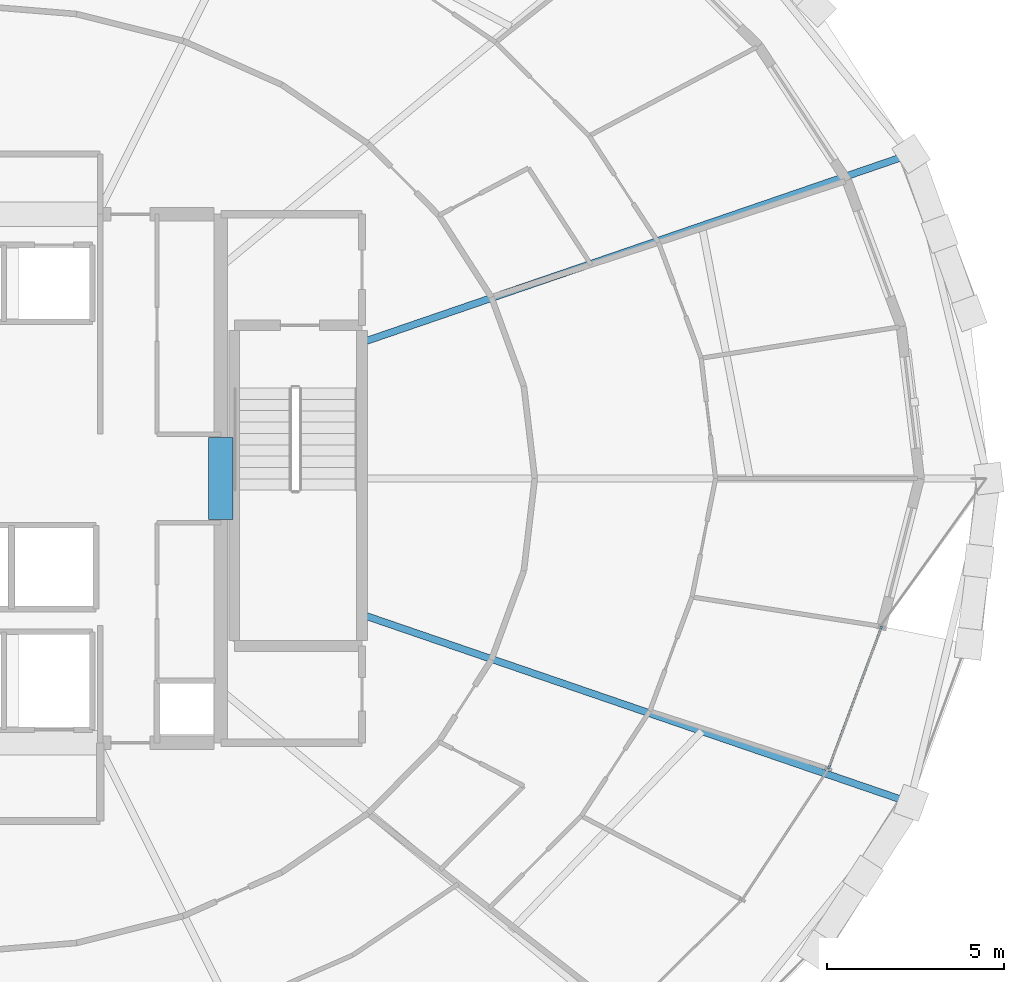
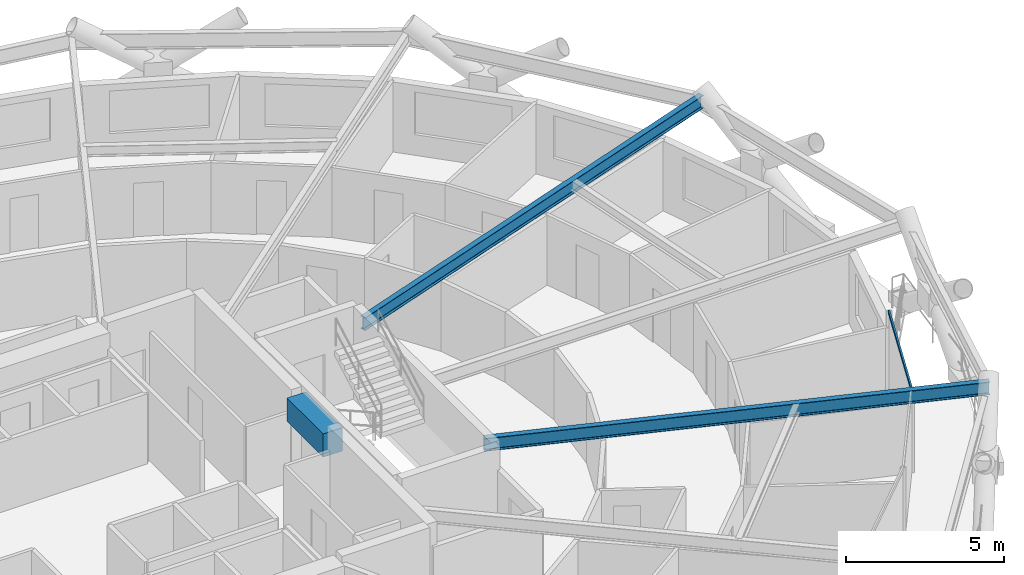
# One storey, part 10 of 21: 3 beams, 1 member, 1 element without a shape of its own.
"""IFC4 building model written with IfcOpenShell, lengths in metres."""

from ifc_helpers import new_model, si_unit, direction, frame, origin, origin_2d, place, context, subcontext, project, spatial, rectangle, hollow_rectangle, i_section, extrude, material, layer, layer_set, material_profile, profile_set, type_object, element, aggregate, save


model = new_model("IFC4")

# Units and contexts
model_context = context("Model", 3, precision=1e-05, world=origin(), true_north=direction((0.0, 1.0)))
body_context = subcontext(model_context, "Body", "Model", "MODEL_VIEW")
ifc_project = project(units=[si_unit("LENGTHUNIT", "METRE"), si_unit("AREAUNIT", "SQUARE_METRE"), si_unit("VOLUMEUNIT", "CUBIC_METRE"), si_unit("PLANEANGLEUNIT", "RADIAN"), si_unit("MASSUNIT", "GRAM", prefix="KILO")], contexts=[model_context])

# Site, building, storey
site_placement = place(None, origin())
site = spatial("IfcSite", under=ifc_project, at=site_placement, CompositionType="ELEMENT")
building_placement = place(site_placement, origin())
building = spatial("IfcBuilding", under=site, at=building_placement, Name="Veldorina Hangang Commons", CompositionType="ELEMENT")
storey_placement = place(building_placement, frame((0.0, 0.0, 98.800048828125)))
storey = spatial("IfcBuildingStorey", under=building, at=storey_placement, Name="L25", CompositionType="ELEMENT", Elevation=98.800048828125)

# Beams
ifc_material_1 = material(Name="Concrete C70/85", Category="concrete")
ifc_material_profile_1 = material_profile(ifc_material_1, rectangle(XDim=0.699951171875, YDim=0.89990234375, at=origin_2d()), Name="RC-CB-700x900")
ifc_profile_set_1 = profile_set([ifc_material_profile_1], Name="Concrete C70/85")
beam_type_1 = type_object("IfcBeamType", Name="BM-CB900", PredefinedType="LINTEL", material=ifc_profile_set_1)
beam_placement = place(storey_placement, frame((39.199951171875, 22.85009765625, 2.889892578125), z_axis=(0.0, 1.0, 0.0), x_axis=(-1.0, 0.0, 0.0)))
element("IfcBeam", 1, at=beam_placement, inside=storey, type_object=beam_type_1, Name="L25 E core coupling lintel beam", PredefinedType="LINTEL", context=body_context, shape_type="SweptSolid", body=[
    extrude(rectangle(XDim=0.699951171875, YDim=0.89990234375, at=origin_2d()), origin(), (0.0, 0.0, 1.0), 2.2998046875),
])
ifc_material_2 = material(Name="Steel SM420-TMC", Category="steel")
ifc_material_profile_2 = material_profile(ifc_material_2, i_section(OverallWidth=0.199951171875, OverallDepth=0.5, WebThickness=0.010009765625, FlangeThickness=0.01611328125, FilletRadius=0.01611328125, at=origin_2d()), Name="H-500x200x10x16")
ifc_profile_set_2 = profile_set([ifc_material_profile_2], Name="Steel SM420-TMC")
beam_type_2 = type_object("IfcBeamType", Name="BM-FG500", PredefinedType="BEAM", material=ifc_profile_set_2)
for number, where, z_axis, x_axis, name in (
    (2, (43.179931640625, 27.836181640625, 3.08984375), (0.945869804802, 0.324546317747, 0.0), (-0.324546317747, 0.945869804802, 0.0), "L25 radial floor girder 02"),
    (3, (43.179931640625, 20.163818359375, 3.08984375), (0.945869804802, -0.324546317747, 0.0), (0.324546317747, 0.945869804802, 0.0), "L25 radial floor girder 16"),
):
    element("IfcBeam", number, at=place(storey_placement, frame(where, z_axis=z_axis, x_axis=x_axis)), inside=storey, type_object=beam_type_2, Name=name, PredefinedType="BEAM", context=body_context, shape_type="SweptSolid", body=[
        extrude(i_section(OverallWidth=0.199951171875, OverallDepth=0.5, WebThickness=0.010009765625, FlangeThickness=0.01611328125, FilletRadius=0.01611328125, at=origin_2d()), origin(), (0.0, 0.0, 1.0), 16.335205078125),
    ])

# Curtain wall, member
ifc_material_3 = material(Name="Glass Low-E Triple IGU", Category="glass")
ifc_layer = layer(ifc_material_3, 0.179931640625)
ifc_layer_set = layer_set([ifc_layer], Name="Glass Low-E Triple IGU")
curtain_wall_type = type_object("IfcCurtainWallType", Name="CW-SYS-Z1", PredefinedType="NOTDEFINED", material=ifc_layer_set)
curtain_wall_placement = place(storey_placement, origin())
curtain_wall = element("IfcCurtainWall", 4, at=curtain_wall_placement, inside=storey, type_object=curtain_wall_type, Name="L25 unitised curtain wall CW-L25-R2", PredefinedType="NOTDEFINED")
ifc_material_4 = material(Name="Aluminium Anodized AA6063-T6", Category="aluminium")
ifc_material_profile_3 = material_profile(ifc_material_4, hollow_rectangle(XDim=0.06005859375, YDim=0.139892578125, WallThickness=0.00341796875, at=origin_2d()), Name="ALU-RHS-140x60x3.5")
ifc_profile_set_3 = profile_set([ifc_material_profile_3], Name="Aluminium Anodized AA6063-T6")
member_type = type_object("IfcMemberType", Name="CW-TRN-140", PredefinedType="USERDEFINED", material=ifc_profile_set_3)
member_placement = place(storey_placement, frame((56.330322265625, 15.81884765625, 3.260009765625), z_axis=(0.350067112237, 0.936724621717, 0.0), x_axis=(-0.936724621717, 0.350067112237, 0.0)))
member = element("IfcMember", 5, at=member_placement, type_object=member_type, Name="CW-L25-R2 facet 5 transom 1", ObjectType="TRANSOM", PredefinedType="USERDEFINED", context=body_context, shape_type="SweptSolid", body=[
    extrude(hollow_rectangle(XDim=0.06005859375, YDim=0.139892578125, WallThickness=0.00341796875, at=origin_2d()), origin(), (0.0, 0.0, 1.0), 4.281494140625),
])
aggregate(curtain_wall, [member])

save(model, "model.ifc")
